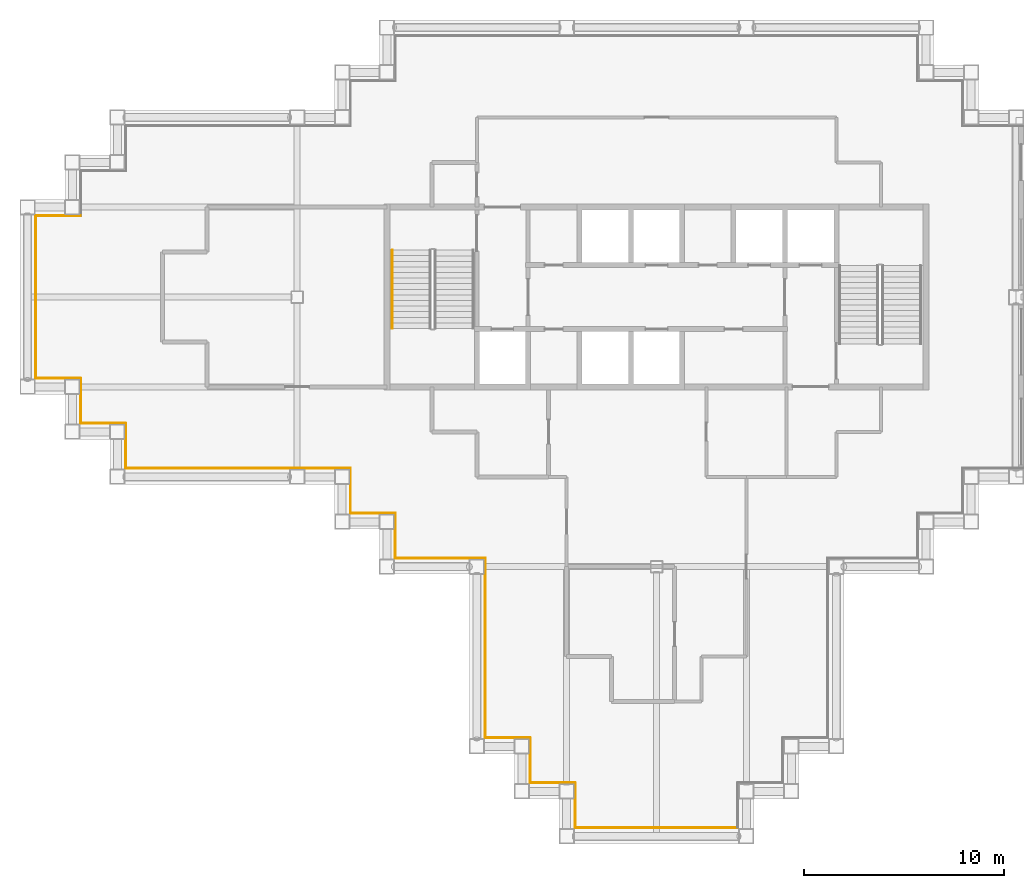
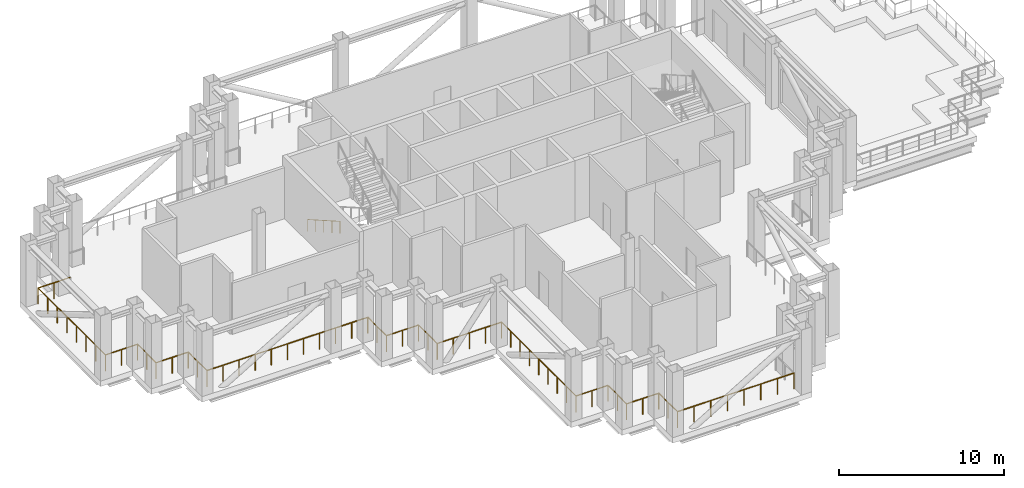
# One storey, part 7 of 10: 18 railings.
"""IFC4 building model written with IfcOpenShell, lengths in metres."""

import ifcopenshell
import ifcopenshell.guid

model = None  # the IFC model being written
_history = None  # IfcOwnerHistory: only IFC2X3 demands one
_inside = {}  # id of a spatial element -> (the spatial element, [elements in it])
_under = {}  # id of a project, library or spatial element -> (it, [spatial elements below it])
_declared = {}  # id of a project -> (the project, [libraries it declares])
_typed = {}  # id of a type object -> (the type object, [elements of that type])
_made_of = {}  # id of a material, layer set ... -> (it, [elements and type objects made of it])


def new_model(schema):
    """Start an empty IFC model of exactly this schema.

    Asked for "IFC4X3", IfcOpenShell would pick the latest addendum, in which some entities
    have other attributes; the version numbers below select the first issue.
    IFC2X3 requires an IfcOwnerHistory on every rooted entity: one is made here for all.
    """
    global model, _history
    if schema == "IFC4X3":
        model = ifcopenshell.file(schema_version=(4, 3, 0, 0))
    else:
        model = ifcopenshell.file(schema=schema)
    _inside.clear()
    _under.clear()
    _declared.clear()
    _typed.clear()
    _made_of.clear()
    _history = None
    if model.schema == "IFC2X3":
        org = make("IfcOrganization", Name="unknown")
        user = make(
            "IfcPersonAndOrganization",
            ThePerson=make("IfcPerson", FamilyName="unknown"),
            TheOrganization=org,
        )
        app = make(
            "IfcApplication",
            ApplicationDeveloper=org,
            Version="unknown",
            ApplicationFullName="unknown",
            ApplicationIdentifier="unknown",
        )
        _history = make(
            "IfcOwnerHistory",
            OwningUser=user,
            OwningApplication=app,
            ChangeAction="ADDED",
            CreationDate=0,
        )
    return model


def make(cls, **values):
    """One entity of the class cls with the attributes given. An attribute that is None is left unset."""
    return model.create_entity(
        cls, **{name: value for name, value in values.items() if value is not None}
    )


def rooted(cls, **values):
    """An entity with a GlobalId (a new one), such as an element, a storey or a relation."""
    return make(cls, GlobalId=ifcopenshell.guid.new(), OwnerHistory=_history, **values)


def si_unit(unit_type, name, prefix=None):
    """IfcSIUnit, for example si_unit("LENGTHUNIT", "METRE", prefix="MILLI")."""
    return make("IfcSIUnit", UnitType=unit_type, Prefix=prefix, Name=name)


def assignment(units):
    """IfcUnitAssignment: the units of a project."""
    return None if units is None else make("IfcUnitAssignment", Units=units)


def point(xyz):
    """IfcCartesianPoint."""
    return None if xyz is None else make("IfcCartesianPoint", Coordinates=xyz)


def direction(xyz):
    """IfcDirection."""
    return None if xyz is None else make("IfcDirection", DirectionRatios=xyz)


def frame(location, z_axis=None, x_axis=None):
    """IfcAxis2Placement3D, a coordinate frame: its origin and axes. An axis left out is left unset."""
    return make(
        "IfcAxis2Placement3D",
        Location=point(location),
        Axis=direction(z_axis),
        RefDirection=direction(x_axis),
    )


def frame_2d(location, x_axis=None):
    """IfcAxis2Placement2D, a coordinate frame in the plane: its origin and x axis."""
    return make(
        "IfcAxis2Placement2D", Location=point(location), RefDirection=direction(x_axis)
    )


def origin():
    """The frame at (0, 0, 0) with its axes left unset."""
    return frame((0.0, 0.0, 0.0))


def origin_2d():
    """The frame at (0, 0) in the plane with its x axis left unset."""
    return frame_2d((0.0, 0.0))


def place(relative_to, where):
    """IfcLocalPlacement: puts the frame where relative to a parent placement (None: the world)."""
    return make(
        "IfcLocalPlacement", PlacementRelTo=relative_to, RelativePlacement=where
    )


def context(
    kind, dimensions, precision=None, world=None, true_north=None, identifier=None
):
    """IfcGeometricRepresentationContext, for example the 3D "Model" context."""
    return make(
        "IfcGeometricRepresentationContext",
        ContextIdentifier=identifier,
        ContextType=kind,
        CoordinateSpaceDimension=dimensions,
        Precision=precision,
        WorldCoordinateSystem=world,
        TrueNorth=true_north,
    )


def subcontext(parent, identifier, kind, view, scale=None):
    """IfcGeometricRepresentationSubContext, for example "Body" below "Model"."""
    return make(
        "IfcGeometricRepresentationSubContext",
        ContextIdentifier=identifier,
        ContextType=kind,
        ParentContext=parent,
        TargetScale=scale,
        TargetView=view,
    )


def project(units=None, contexts=None):
    """IfcProject with its units and contexts."""
    return rooted(
        "IfcProject",
        Name="project",
        RepresentationContexts=contexts,
        UnitsInContext=assignment(units),
    )


def spatial(cls, under=None, at=None, **own):
    """A site, building, storey or space (cls), placed at a placement, below another one or the project."""
    s = rooted(cls, ObjectPlacement=at, **own)
    if under is not None:
        _under.setdefault(under.id(), (under, []))[1].append(s)
    return s


def profile(cls, at=None, kind="AREA", **sizes):
    """A parametric profile (cls). Its sizes go by their IFC names, for example OverallWidth=200.0."""
    return make(cls, ProfileType=kind, Position=at, **sizes)


def circle(**sizes):
    """IfcCircleProfileDef."""
    return profile("IfcCircleProfileDef", **sizes)


def extrude(swept, where, along, depth):
    """IfcExtrudedAreaSolid: the profile swept, set in the frame where, extruded along a direction by depth."""
    return make(
        "IfcExtrudedAreaSolid",
        SweptArea=swept,
        Position=where,
        ExtrudedDirection=direction(along),
        Depth=depth,
    )


def shape(context_of_items, identifier, shape_type, items):
    """IfcShapeRepresentation: the items that make up one representation, for example the "Body"."""
    return make(
        "IfcShapeRepresentation",
        ContextOfItems=context_of_items,
        RepresentationIdentifier=identifier,
        RepresentationType=shape_type,
        Items=items,
    )


def material(Name=None, Category=None):
    """IfcMaterial."""
    return make("IfcMaterial", Name=Name, Category=Category)


def made_of(thing, what):
    """Note that an element or type object is made of a material, layer set ...; save() writes the relation."""
    if what is not None:
        _made_of.setdefault(what.id(), (what, []))[1].append(thing)
    return thing


def type_object(cls, material=None, **own):
    """A type object (cls), such as IfcWallType, which elements share."""
    return made_of(rooted(cls, **own), material)


def element(
    cls,
    number,
    at=None,
    inside=None,
    cuts=None,
    type_object=None,
    material=None,
    context=None,
    identifier="Body",
    shape_type=None,
    held_by="IfcProductDefinitionShape",
    body=None,
    shapes=None,
    **own,
):
    """One element of the class cls, such as IfcWall. Its Tag is "e" and its number.

    at: its placement. inside: the storey or other place that contains it. cuts: it is an
    opening in that element (IfcRelVoidsElement). A single representation is given by context,
    identifier, shape_type and body (its items); several are given by shapes. held_by: the class
    of the entity that holds the representations. save() writes the other relations.
    """
    e = rooted(cls, Tag="e%d" % number, ObjectPlacement=at, **own)
    if body is not None:
        shapes = [shape(context, identifier, shape_type, body)]
    if shapes is not None:
        e.Representation = make(held_by, Representations=shapes)
    if inside is not None:
        _inside.setdefault(inside.id(), (inside, []))[1].append(e)
    if cuts is not None:
        rooted(
            "IfcRelVoidsElement", RelatingBuildingElement=cuts, RelatedOpeningElement=e
        )
    if type_object is not None:
        _typed.setdefault(type_object.id(), (type_object, []))[1].append(e)
    return made_of(e, material)


def aggregate(whole, parts):
    """IfcRelAggregates: a whole, such as a stair, and the parts it consists of."""
    return rooted("IfcRelAggregates", RelatingObject=whole, RelatedObjects=parts)


def save(model, path):
    """Write the relations noted so far, then the file.

    IfcRelAggregates (storeys below a building ...), IfcRelContainedInSpatialStructure (elements
    in a storey), IfcRelDefinesByType, IfcRelAssociatesMaterial and IfcRelDeclares: one each for
    every whole, place, type object, material and project.
    """
    for whole, parts in _under.values():
        aggregate(whole, parts)
    for where, things in _inside.values():
        rooted(
            "IfcRelContainedInSpatialStructure",
            RelatedElements=things,
            RelatingStructure=where,
        )
    for kind, things in _typed.values():
        rooted("IfcRelDefinesByType", RelatedObjects=things, RelatingType=kind)
    for what, things in _made_of.values():
        rooted("IfcRelAssociatesMaterial", RelatedObjects=things, RelatingMaterial=what)
    for by, libraries in _declared.values():
        rooted("IfcRelDeclares", RelatingContext=by, RelatedDefinitions=libraries)
    model.write(path)


model = new_model("IFC4")

# Units and contexts
model_context = context("Model", 3, precision=1e-05, world=origin(), true_north=direction((0.0, 1.0)))
body_context = subcontext(model_context, "Body", "Model", "MODEL_VIEW")
ifc_project = project(units=[si_unit("LENGTHUNIT", "METRE"), si_unit("AREAUNIT", "SQUARE_METRE"), si_unit("VOLUMEUNIT", "CUBIC_METRE"), si_unit("PLANEANGLEUNIT", "RADIAN"), si_unit("MASSUNIT", "GRAM", prefix="KILO")], contexts=[model_context])

# Site, building, storey
site_placement = place(None, origin())
site = spatial("IfcSite", under=ifc_project, at=site_placement, CompositionType="ELEMENT")
building_placement = place(site_placement, origin())
building = spatial("IfcBuilding", under=site, at=building_placement, Name="Caravel Reach Hotel and Residences", CompositionType="ELEMENT")
storey_placement = place(building_placement, frame((0.0, 0.0, 187.60009765625)))
storey = spatial("IfcBuildingStorey", under=building, at=storey_placement, Name="L47", CompositionType="ELEMENT", Elevation=187.60009765625)

# Railings
ifc_material_1 = material(Name="Stainless steel S30408", Category="steel")
railing_type_1 = type_object("IfcRailingType", Name="G1 Guard 1200 stainless", PredefinedType="GUARDRAIL", material=ifc_material_1)
railing_1_placement = place(storey_placement, frame((2.675048828125, 31.074951171875, 0.0)))
element("IfcRailing", 1, at=railing_1_placement, inside=storey, type_object=railing_type_1, Name="Guard L47 1 run 23", PredefinedType="GUARDRAIL", context=body_context, shape_type="SweptSolid", body=[
    extrude(circle(Radius=0.02392578125, at=origin_2d()), frame((0.0, 0.0, 1.17578125), z_axis=(-1.0, 0.0, 0.0), x_axis=(0.0, -1.0, 0.0)), (0.0, 0.0, 1.0), 2.25),
    extrude(circle(Radius=0.02099609375, at=origin_2d()), frame((-1.125, 0.0, 0.0)), (0.0, 0.0, 1.0), 1.15185546875),
    extrude(circle(Radius=0.02099609375, at=origin_2d()), frame((-2.25, 0.0, 0.0)), (0.0, 0.0, 1.0), 1.15185546875),
])
railing_2_placement = place(storey_placement, frame((0.425048828125, 31.074951171875, 0.0)))
element("IfcRailing", 2, at=railing_2_placement, inside=storey, type_object=railing_type_1, Name="Guard L47 1 run 24", PredefinedType="GUARDRAIL", context=body_context, shape_type="SweptSolid", body=[
    extrude(circle(Radius=0.02392578125, at=origin_2d()), frame((0.0, 0.0, 1.17578125), z_axis=(0.0, -1.0, 0.0), x_axis=(1.0, 0.0, 0.0)), (0.0, 0.0, 1.0), 8.14990234375),
    extrude(circle(Radius=0.02099609375, at=origin_2d()), frame((0.0, -1.164306640625, 0.0)), (0.0, 0.0, 1.0), 1.15185546875),
    extrude(circle(Radius=0.02099609375, at=origin_2d()), frame((0.0, -2.32861328125, 0.0)), (0.0, 0.0, 1.0), 1.15185546875),
    extrude(circle(Radius=0.02099609375, at=origin_2d()), frame((0.0, -3.492919921875, 0.0)), (0.0, 0.0, 1.0), 1.15185546875),
    extrude(circle(Radius=0.02099609375, at=origin_2d()), frame((0.0, -4.656982421875, 0.0)), (0.0, 0.0, 1.0), 1.15185546875),
    extrude(circle(Radius=0.02099609375, at=origin_2d()), frame((0.0, -5.8212890625, 0.0)), (0.0, 0.0, 1.0), 1.15185546875),
    extrude(circle(Radius=0.02099609375, at=origin_2d()), frame((0.0, -6.985595703125, 0.0)), (0.0, 0.0, 1.0), 1.15185546875),
    extrude(circle(Radius=0.02099609375, at=origin_2d()), frame((0.0, -8.14990234375, 0.0)), (0.0, 0.0, 1.0), 1.15185546875),
])
railing_3_placement = place(storey_placement, frame((0.425048828125, 22.925048828125, 0.0)))
element("IfcRailing", 3, at=railing_3_placement, inside=storey, type_object=railing_type_1, Name="Guard L47 1 run 25", PredefinedType="GUARDRAIL", context=body_context, shape_type="SweptSolid", body=[
    extrude(circle(Radius=0.02392578125, at=origin_2d()), frame((0.0, 0.0, 1.17578125), z_axis=(1.0, 0.0, 0.0), x_axis=(0.0, 1.0, 0.0)), (0.0, 0.0, 1.0), 2.25),
    extrude(circle(Radius=0.02099609375, at=origin_2d()), frame((1.125, 0.0, 0.0)), (0.0, 0.0, 1.0), 1.15185546875),
    extrude(circle(Radius=0.02099609375, at=origin_2d()), frame((2.25, 0.0, 0.0)), (0.0, 0.0, 1.0), 1.15185546875),
])
railing_4_placement = place(storey_placement, frame((2.675048828125, 22.925048828125, 0.0)))
element("IfcRailing", 4, at=railing_4_placement, inside=storey, type_object=railing_type_1, Name="Guard L47 1 run 26", PredefinedType="GUARDRAIL", context=body_context, shape_type="SweptSolid", body=[
    extrude(circle(Radius=0.02392578125, at=origin_2d()), frame((0.0, 0.0, 1.17578125), z_axis=(0.0, -1.0, 0.0), x_axis=(1.0, 0.0, 0.0)), (0.0, 0.0, 1.0), 2.25),
    extrude(circle(Radius=0.02099609375, at=origin_2d()), frame((0.0, -1.125, 0.0)), (0.0, 0.0, 1.0), 1.15185546875),
    extrude(circle(Radius=0.02099609375, at=origin_2d()), frame((0.0, -2.25, 0.0)), (0.0, 0.0, 1.0), 1.15185546875),
])
railing_5_placement = place(storey_placement, frame((2.675048828125, 20.675048828125, 0.0)))
element("IfcRailing", 5, at=railing_5_placement, inside=storey, type_object=railing_type_1, Name="Guard L47 1 run 27", PredefinedType="GUARDRAIL", context=body_context, shape_type="SweptSolid", body=[
    extrude(circle(Radius=0.02392578125, at=origin_2d()), frame((0.0, 0.0, 1.17578125), z_axis=(1.0, 0.0, 0.0), x_axis=(0.0, 1.0, 0.0)), (0.0, 0.0, 1.0), 2.25),
    extrude(circle(Radius=0.02099609375, at=origin_2d()), frame((1.125, 0.0, 0.0)), (0.0, 0.0, 1.0), 1.15185546875),
    extrude(circle(Radius=0.02099609375, at=origin_2d()), frame((2.25, 0.0, 0.0)), (0.0, 0.0, 1.0), 1.15185546875),
])
railing_6_placement = place(storey_placement, frame((4.925048828125, 20.675048828125, 0.0)))
element("IfcRailing", 6, at=railing_6_placement, inside=storey, type_object=railing_type_1, Name="Guard L47 1 run 28", PredefinedType="GUARDRAIL", context=body_context, shape_type="SweptSolid", body=[
    extrude(circle(Radius=0.02392578125, at=origin_2d()), frame((0.0, 0.0, 1.17578125), z_axis=(0.0, -1.0, 0.0), x_axis=(1.0, 0.0, 0.0)), (0.0, 0.0, 1.0), 2.25),
    extrude(circle(Radius=0.02099609375, at=origin_2d()), frame((0.0, -1.125, 0.0)), (0.0, 0.0, 1.0), 1.15185546875),
    extrude(circle(Radius=0.02099609375, at=origin_2d()), frame((0.0, -2.25, 0.0)), (0.0, 0.0, 1.0), 1.15185546875),
])
railing_7_placement = place(storey_placement, frame((4.925048828125, 18.425048828125, 0.0)))
element("IfcRailing", 7, at=railing_7_placement, inside=storey, type_object=railing_type_1, Name="Guard L47 1 run 29", PredefinedType="GUARDRAIL", context=body_context, shape_type="SweptSolid", body=[
    extrude(circle(Radius=0.02392578125, at=origin_2d()), frame((0.0, 0.0, 1.17578125), z_axis=(1.0, 0.0, 0.0), x_axis=(0.0, 1.0, 0.0)), (0.0, 0.0, 1.0), 11.25),
    extrude(circle(Radius=0.02099609375, at=origin_2d()), frame((1.125, 0.0, 0.0)), (0.0, 0.0, 1.0), 1.15185546875),
    extrude(circle(Radius=0.02099609375, at=origin_2d()), frame((2.25, 0.0, 0.0)), (0.0, 0.0, 1.0), 1.15185546875),
    extrude(circle(Radius=0.02099609375, at=origin_2d()), frame((3.375, 0.0, 0.0)), (0.0, 0.0, 1.0), 1.15185546875),
    extrude(circle(Radius=0.02099609375, at=origin_2d()), frame((4.5, 0.0, 0.0)), (0.0, 0.0, 1.0), 1.15185546875),
    extrude(circle(Radius=0.02099609375, at=origin_2d()), frame((5.625, 0.0, 0.0)), (0.0, 0.0, 1.0), 1.15185546875),
    extrude(circle(Radius=0.02099609375, at=origin_2d()), frame((6.75, 0.0, 0.0)), (0.0, 0.0, 1.0), 1.15185546875),
    extrude(circle(Radius=0.02099609375, at=origin_2d()), frame((7.875, 0.0, 0.0)), (0.0, 0.0, 1.0), 1.15185546875),
    extrude(circle(Radius=0.02099609375, at=origin_2d()), frame((9.0, 0.0, 0.0)), (0.0, 0.0, 1.0), 1.15185546875),
    extrude(circle(Radius=0.02099609375, at=origin_2d()), frame((10.125, 0.0, 0.0)), (0.0, 0.0, 1.0), 1.15185546875),
    extrude(circle(Radius=0.02099609375, at=origin_2d()), frame((11.25, 0.0, 0.0)), (0.0, 0.0, 1.0), 1.15185546875),
])
railing_8_placement = place(storey_placement, frame((16.175048828125, 18.425048828125, 0.0)))
element("IfcRailing", 8, at=railing_8_placement, inside=storey, type_object=railing_type_1, Name="Guard L47 1 run 30", PredefinedType="GUARDRAIL", context=body_context, shape_type="SweptSolid", body=[
    extrude(circle(Radius=0.02392578125, at=origin_2d()), frame((0.0, 0.0, 1.17578125), z_axis=(0.0, -1.0, 0.0), x_axis=(1.0, 0.0, 0.0)), (0.0, 0.0, 1.0), 2.25),
    extrude(circle(Radius=0.02099609375, at=origin_2d()), frame((0.0, -1.125, 0.0)), (0.0, 0.0, 1.0), 1.15185546875),
    extrude(circle(Radius=0.02099609375, at=origin_2d()), frame((0.0, -2.25, 0.0)), (0.0, 0.0, 1.0), 1.15185546875),
])
railing_9_placement = place(storey_placement, frame((16.175048828125, 16.175048828125, 0.0)))
element("IfcRailing", 9, at=railing_9_placement, inside=storey, type_object=railing_type_1, Name="Guard L47 1 run 31", PredefinedType="GUARDRAIL", context=body_context, shape_type="SweptSolid", body=[
    extrude(circle(Radius=0.02392578125, at=origin_2d()), frame((0.0, 0.0, 1.17578125), z_axis=(1.0, 0.0, 0.0), x_axis=(0.0, 1.0, 0.0)), (0.0, 0.0, 1.0), 2.25),
    extrude(circle(Radius=0.02099609375, at=origin_2d()), frame((1.125, 0.0, 0.0)), (0.0, 0.0, 1.0), 1.15185546875),
    extrude(circle(Radius=0.02099609375, at=origin_2d()), frame((2.25, 0.0, 0.0)), (0.0, 0.0, 1.0), 1.15185546875),
])
railing_10_placement = place(storey_placement, frame((18.425048828125, 16.175048828125, 0.0)))
element("IfcRailing", 10, at=railing_10_placement, inside=storey, type_object=railing_type_1, Name="Guard L47 1 run 32", PredefinedType="GUARDRAIL", context=body_context, shape_type="SweptSolid", body=[
    extrude(circle(Radius=0.02392578125, at=origin_2d()), frame((0.0, 0.0, 1.17578125), z_axis=(0.0, -1.0, 0.0), x_axis=(1.0, 0.0, 0.0)), (0.0, 0.0, 1.0), 2.25),
    extrude(circle(Radius=0.02099609375, at=origin_2d()), frame((0.0, -1.125, 0.0)), (0.0, 0.0, 1.0), 1.15185546875),
    extrude(circle(Radius=0.02099609375, at=origin_2d()), frame((0.0, -2.25, 0.0)), (0.0, 0.0, 1.0), 1.15185546875),
])
railing_11_placement = place(storey_placement, frame((18.425048828125, 13.925048828125, 0.0)))
element("IfcRailing", 11, at=railing_11_placement, inside=storey, type_object=railing_type_1, Name="Guard L47 1 run 33", PredefinedType="GUARDRAIL", context=body_context, shape_type="SweptSolid", body=[
    extrude(circle(Radius=0.02392578125, at=origin_2d()), frame((0.0, 0.0, 1.17578125), z_axis=(1.0, 0.0, 0.0), x_axis=(0.0, 1.0, 0.0)), (0.0, 0.0, 1.0), 4.5),
    extrude(circle(Radius=0.02099609375, at=origin_2d()), frame((1.125, 0.0, 0.0)), (0.0, 0.0, 1.0), 1.15185546875),
    extrude(circle(Radius=0.02099609375, at=origin_2d()), frame((2.25, 0.0, 0.0)), (0.0, 0.0, 1.0), 1.15185546875),
    extrude(circle(Radius=0.02099609375, at=origin_2d()), frame((3.375, 0.0, 0.0)), (0.0, 0.0, 1.0), 1.15185546875),
    extrude(circle(Radius=0.02099609375, at=origin_2d()), frame((4.5, 0.0, 0.0)), (0.0, 0.0, 1.0), 1.15185546875),
])
railing_12_placement = place(storey_placement, frame((22.925048828125, 13.925048828125, 0.0)))
element("IfcRailing", 12, at=railing_12_placement, inside=storey, type_object=railing_type_1, Name="Guard L47 1 run 34", PredefinedType="GUARDRAIL", context=body_context, shape_type="SweptSolid", body=[
    extrude(circle(Radius=0.02392578125, at=origin_2d()), frame((0.0, 0.0, 1.17578125), z_axis=(0.0, -1.0, 0.0), x_axis=(1.0, 0.0, 0.0)), (0.0, 0.0, 1.0), 9.0),
    extrude(circle(Radius=0.02099609375, at=origin_2d()), frame((0.0, -1.125, 0.0)), (0.0, 0.0, 1.0), 1.15185546875),
    extrude(circle(Radius=0.02099609375, at=origin_2d()), frame((0.0, -2.25, 0.0)), (0.0, 0.0, 1.0), 1.15185546875),
    extrude(circle(Radius=0.02099609375, at=origin_2d()), frame((0.0, -3.375, 0.0)), (0.0, 0.0, 1.0), 1.15185546875),
    extrude(circle(Radius=0.02099609375, at=origin_2d()), frame((0.0, -4.5, 0.0)), (0.0, 0.0, 1.0), 1.15185546875),
    extrude(circle(Radius=0.02099609375, at=origin_2d()), frame((0.0, -5.625, 0.0)), (0.0, 0.0, 1.0), 1.15185546875),
    extrude(circle(Radius=0.02099609375, at=origin_2d()), frame((0.0, -6.75, 0.0)), (0.0, 0.0, 1.0), 1.15185546875),
    extrude(circle(Radius=0.02099609375, at=origin_2d()), frame((0.0, -7.875, 0.0)), (0.0, 0.0, 1.0), 1.15185546875),
    extrude(circle(Radius=0.02099609375, at=origin_2d()), frame((0.0, -9.0, 0.0)), (0.0, 0.0, 1.0), 1.15185546875),
])
railing_13_placement = place(storey_placement, frame((22.925048828125, 4.925048828125, 0.0)))
element("IfcRailing", 13, at=railing_13_placement, inside=storey, type_object=railing_type_1, Name="Guard L47 1 run 35", PredefinedType="GUARDRAIL", context=body_context, shape_type="SweptSolid", body=[
    extrude(circle(Radius=0.02392578125, at=origin_2d()), frame((0.0, 0.0, 1.17578125), z_axis=(1.0, 0.0, 0.0), x_axis=(0.0, 1.0, 0.0)), (0.0, 0.0, 1.0), 2.25),
    extrude(circle(Radius=0.02099609375, at=origin_2d()), frame((1.125, 0.0, 0.0)), (0.0, 0.0, 1.0), 1.15185546875),
    extrude(circle(Radius=0.02099609375, at=origin_2d()), frame((2.25, 0.0, 0.0)), (0.0, 0.0, 1.0), 1.15185546875),
])
railing_14_placement = place(storey_placement, frame((25.175048828125, 4.925048828125, 0.0)))
element("IfcRailing", 14, at=railing_14_placement, inside=storey, type_object=railing_type_1, Name="Guard L47 1 run 36", PredefinedType="GUARDRAIL", context=body_context, shape_type="SweptSolid", body=[
    extrude(circle(Radius=0.02392578125, at=origin_2d()), frame((0.0, 0.0, 1.17578125), z_axis=(0.0, -1.0, 0.0), x_axis=(1.0, 0.0, 0.0)), (0.0, 0.0, 1.0), 2.25),
    extrude(circle(Radius=0.02099609375, at=origin_2d()), frame((0.0, -1.125, 0.0)), (0.0, 0.0, 1.0), 1.15185546875),
    extrude(circle(Radius=0.02099609375, at=origin_2d()), frame((0.0, -2.25, 0.0)), (0.0, 0.0, 1.0), 1.15185546875),
])
railing_15_placement = place(storey_placement, frame((25.175048828125, 2.675048828125, 0.0)))
element("IfcRailing", 15, at=railing_15_placement, inside=storey, type_object=railing_type_1, Name="Guard L47 1 run 37", PredefinedType="GUARDRAIL", context=body_context, shape_type="SweptSolid", body=[
    extrude(circle(Radius=0.02392578125, at=origin_2d()), frame((0.0, 0.0, 1.17578125), z_axis=(1.0, 0.0, 0.0), x_axis=(0.0, 1.0, 0.0)), (0.0, 0.0, 1.0), 2.25),
    extrude(circle(Radius=0.02099609375, at=origin_2d()), frame((1.125, 0.0, 0.0)), (0.0, 0.0, 1.0), 1.15185546875),
    extrude(circle(Radius=0.02099609375, at=origin_2d()), frame((2.25, 0.0, 0.0)), (0.0, 0.0, 1.0), 1.15185546875),
])
railing_16_placement = place(storey_placement, frame((27.425048828125, 2.675048828125, 0.0)))
element("IfcRailing", 16, at=railing_16_placement, inside=storey, type_object=railing_type_1, Name="Guard L47 1 run 38", PredefinedType="GUARDRAIL", context=body_context, shape_type="SweptSolid", body=[
    extrude(circle(Radius=0.02392578125, at=origin_2d()), frame((0.0, 0.0, 1.17578125), z_axis=(0.0, -1.0, 0.0), x_axis=(1.0, 0.0, 0.0)), (0.0, 0.0, 1.0), 2.25),
    extrude(circle(Radius=0.02099609375, at=origin_2d()), frame((0.0, -1.125, 0.0)), (0.0, 0.0, 1.0), 1.15185546875),
    extrude(circle(Radius=0.02099609375, at=origin_2d()), frame((0.0, -2.25, 0.0)), (0.0, 0.0, 1.0), 1.15185546875),
])
railing_17_placement = place(storey_placement, frame((27.425048828125, 0.425048828125, 0.0)))
element("IfcRailing", 17, at=railing_17_placement, inside=storey, type_object=railing_type_1, Name="Guard L47 1 run 39", PredefinedType="GUARDRAIL", context=body_context, shape_type="SweptSolid", body=[
    extrude(circle(Radius=0.02392578125, at=origin_2d()), frame((0.0, 0.0, 1.17578125), z_axis=(1.0, 0.0, 0.0), x_axis=(0.0, 1.0, 0.0)), (0.0, 0.0, 1.0), 8.14990234375),
    extrude(circle(Radius=0.02099609375, at=origin_2d()), frame((1.164306640625, 0.0, 0.0)), (0.0, 0.0, 1.0), 1.15185546875),
    extrude(circle(Radius=0.02099609375, at=origin_2d()), frame((2.32861328125, 0.0, 0.0)), (0.0, 0.0, 1.0), 1.15185546875),
    extrude(circle(Radius=0.02099609375, at=origin_2d()), frame((3.492919921875, 0.0, 0.0)), (0.0, 0.0, 1.0), 1.15185546875),
    extrude(circle(Radius=0.02099609375, at=origin_2d()), frame((4.656982421875, 0.0, 0.0)), (0.0, 0.0, 1.0), 1.15185546875),
    extrude(circle(Radius=0.02099609375, at=origin_2d()), frame((5.8212890625, 0.0, 0.0)), (0.0, 0.0, 1.0), 1.15185546875),
    extrude(circle(Radius=0.02099609375, at=origin_2d()), frame((6.985595703125, 0.0, 0.0)), (0.0, 0.0, 1.0), 1.15185546875),
    extrude(circle(Radius=0.02099609375, at=origin_2d()), frame((8.14990234375, 0.0, 0.0)), (0.0, 0.0, 1.0), 1.15185546875),
])
ifc_material_2 = material(Name="Stainless steel handrail", Category="steel")
railing_type_2 = type_object("IfcRailingType", Name="Handrail 900", PredefinedType="HANDRAIL", material=ifc_material_2)
railing_18_placement = place(storey_placement, frame((18.27490234375, 29.35009765625, 0.159912109375)))
element("IfcRailing", 18, at=railing_18_placement, inside=storey, type_object=railing_type_2, Name="L47 ST-A stair handrail 1", PredefinedType="HANDRAIL", context=body_context, shape_type="SweptSolid", body=[
    extrude(circle(Radius=0.02392578125, at=origin_2d()), frame((0.0, 0.0, 0.8759765625), z_axis=(0.0, -0.86825312469, 0.496121468458), x_axis=(1.0, 0.0, 0.0)), (0.0, 0.0, 1.0), 4.514892578125),
    extrude(circle(Radius=0.02099609375, at=origin_2d()), origin(), (0.0, 0.0, 1.0), 0.851806640625),
    extrude(circle(Radius=0.02099609375, at=origin_2d()), frame((0.0, -0.97998046875, 0.56005859375)), (0.0, 0.0, 1.0), 0.851806640625),
    extrude(circle(Radius=0.02099609375, at=origin_2d()), frame((0.0, -1.9599609375, 1.1201171875)), (0.0, 0.0, 1.0), 0.851806640625),
    extrude(circle(Radius=0.02099609375, at=origin_2d()), frame((0.0, -2.940185546875, 1.679931640625)), (0.0, 0.0, 1.0), 0.851806640625),
    extrude(circle(Radius=0.02099609375, at=origin_2d()), frame((0.0, -3.920166015625, 2.239990234375)), (0.0, 0.0, 1.0), 0.851806640625),
])

save(model, "model.ifc")
